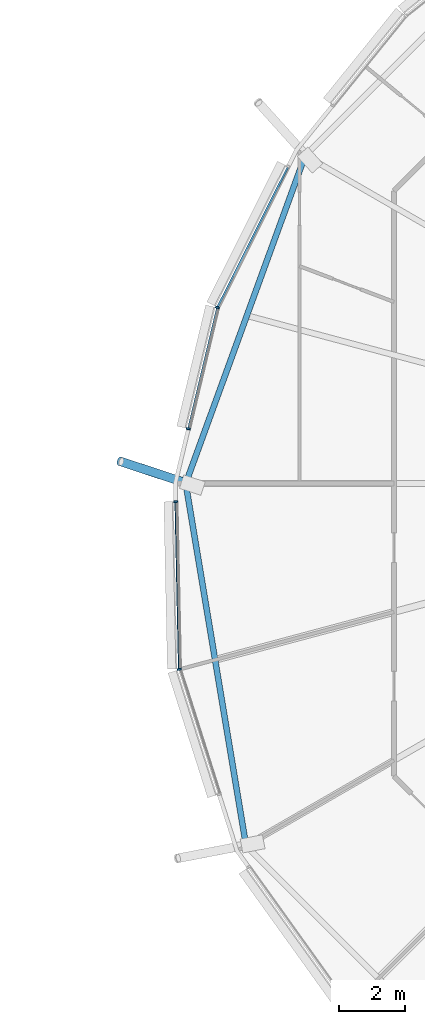
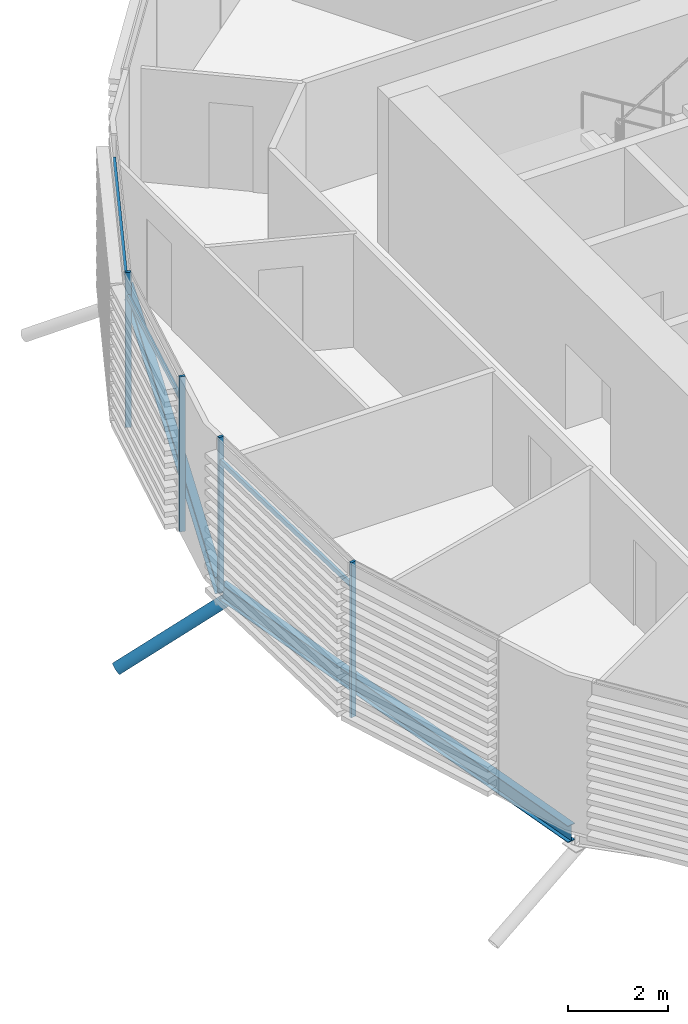
# One storey, part 9 of 37: 8 members, 2 beams, 1 element without a shape of its own.
"""IFC4 building model written with IfcOpenShell, lengths in metres."""

import ifcopenshell
import ifcopenshell.guid

model = None  # the IFC model being written
_history = None  # IfcOwnerHistory: only IFC2X3 demands one
_inside = {}  # id of a spatial element -> (the spatial element, [elements in it])
_under = {}  # id of a project, library or spatial element -> (it, [spatial elements below it])
_declared = {}  # id of a project -> (the project, [libraries it declares])
_typed = {}  # id of a type object -> (the type object, [elements of that type])
_made_of = {}  # id of a material, layer set ... -> (it, [elements and type objects made of it])


def new_model(schema):
    """Start an empty IFC model of exactly this schema.

    Asked for "IFC4X3", IfcOpenShell would pick the latest addendum, in which some entities
    have other attributes; the version numbers below select the first issue.
    IFC2X3 requires an IfcOwnerHistory on every rooted entity: one is made here for all.
    """
    global model, _history
    if schema == "IFC4X3":
        model = ifcopenshell.file(schema_version=(4, 3, 0, 0))
    else:
        model = ifcopenshell.file(schema=schema)
    _inside.clear()
    _under.clear()
    _declared.clear()
    _typed.clear()
    _made_of.clear()
    _history = None
    if model.schema == "IFC2X3":
        org = make("IfcOrganization", Name="unknown")
        user = make(
            "IfcPersonAndOrganization",
            ThePerson=make("IfcPerson", FamilyName="unknown"),
            TheOrganization=org,
        )
        app = make(
            "IfcApplication",
            ApplicationDeveloper=org,
            Version="unknown",
            ApplicationFullName="unknown",
            ApplicationIdentifier="unknown",
        )
        _history = make(
            "IfcOwnerHistory",
            OwningUser=user,
            OwningApplication=app,
            ChangeAction="ADDED",
            CreationDate=0,
        )
    return model


def make(cls, **values):
    """One entity of the class cls with the attributes given. An attribute that is None is left unset."""
    return model.create_entity(
        cls, **{name: value for name, value in values.items() if value is not None}
    )


def rooted(cls, **values):
    """An entity with a GlobalId (a new one), such as an element, a storey or a relation."""
    return make(cls, GlobalId=ifcopenshell.guid.new(), OwnerHistory=_history, **values)


def si_unit(unit_type, name, prefix=None):
    """IfcSIUnit, for example si_unit("LENGTHUNIT", "METRE", prefix="MILLI")."""
    return make("IfcSIUnit", UnitType=unit_type, Prefix=prefix, Name=name)


def assignment(units):
    """IfcUnitAssignment: the units of a project."""
    return None if units is None else make("IfcUnitAssignment", Units=units)


def point(xyz):
    """IfcCartesianPoint."""
    return None if xyz is None else make("IfcCartesianPoint", Coordinates=xyz)


def direction(xyz):
    """IfcDirection."""
    return None if xyz is None else make("IfcDirection", DirectionRatios=xyz)


def frame(location, z_axis=None, x_axis=None):
    """IfcAxis2Placement3D, a coordinate frame: its origin and axes. An axis left out is left unset."""
    return make(
        "IfcAxis2Placement3D",
        Location=point(location),
        Axis=direction(z_axis),
        RefDirection=direction(x_axis),
    )


def frame_2d(location, x_axis=None):
    """IfcAxis2Placement2D, a coordinate frame in the plane: its origin and x axis."""
    return make(
        "IfcAxis2Placement2D", Location=point(location), RefDirection=direction(x_axis)
    )


def origin():
    """The frame at (0, 0, 0) with its axes left unset."""
    return frame((0.0, 0.0, 0.0))


def origin_2d():
    """The frame at (0, 0) in the plane with its x axis left unset."""
    return frame_2d((0.0, 0.0))


def place(relative_to, where):
    """IfcLocalPlacement: puts the frame where relative to a parent placement (None: the world)."""
    return make(
        "IfcLocalPlacement", PlacementRelTo=relative_to, RelativePlacement=where
    )


def context(
    kind, dimensions, precision=None, world=None, true_north=None, identifier=None
):
    """IfcGeometricRepresentationContext, for example the 3D "Model" context."""
    return make(
        "IfcGeometricRepresentationContext",
        ContextIdentifier=identifier,
        ContextType=kind,
        CoordinateSpaceDimension=dimensions,
        Precision=precision,
        WorldCoordinateSystem=world,
        TrueNorth=true_north,
    )


def subcontext(parent, identifier, kind, view, scale=None):
    """IfcGeometricRepresentationSubContext, for example "Body" below "Model"."""
    return make(
        "IfcGeometricRepresentationSubContext",
        ContextIdentifier=identifier,
        ContextType=kind,
        ParentContext=parent,
        TargetScale=scale,
        TargetView=view,
    )


def project(units=None, contexts=None):
    """IfcProject with its units and contexts."""
    return rooted(
        "IfcProject",
        Name="project",
        RepresentationContexts=contexts,
        UnitsInContext=assignment(units),
    )


def spatial(cls, under=None, at=None, **own):
    """A site, building, storey or space (cls), placed at a placement, below another one or the project."""
    s = rooted(cls, ObjectPlacement=at, **own)
    if under is not None:
        _under.setdefault(under.id(), (under, []))[1].append(s)
    return s


def profile(cls, at=None, kind="AREA", **sizes):
    """A parametric profile (cls). Its sizes go by their IFC names, for example OverallWidth=200.0."""
    return make(cls, ProfileType=kind, Position=at, **sizes)


def rectangle(**sizes):
    """IfcRectangleProfileDef."""
    return profile("IfcRectangleProfileDef", **sizes)


def hollow_circle(**sizes):
    """IfcCircleHollowProfileDef."""
    return profile("IfcCircleHollowProfileDef", **sizes)


def i_section(**sizes):
    """IfcIShapeProfileDef."""
    return profile("IfcIShapeProfileDef", **sizes)


def extrude(swept, where, along, depth):
    """IfcExtrudedAreaSolid: the profile swept, set in the frame where, extruded along a direction by depth."""
    return make(
        "IfcExtrudedAreaSolid",
        SweptArea=swept,
        Position=where,
        ExtrudedDirection=direction(along),
        Depth=depth,
    )


def clip(a, b, op="DIFFERENCE"):
    """IfcBooleanClippingResult: the solid a cut by the half space b."""
    return make(
        "IfcBooleanClippingResult", Operator=op, FirstOperand=a, SecondOperand=b
    )


def halfspace(plane, agree):
    """IfcHalfSpaceSolid: all space on one side of the plane z = 0 of the frame plane."""
    return make(
        "IfcHalfSpaceSolid",
        BaseSurface=make("IfcPlane", Position=plane),
        AgreementFlag=agree,
    )


def shape(context_of_items, identifier, shape_type, items):
    """IfcShapeRepresentation: the items that make up one representation, for example the "Body"."""
    return make(
        "IfcShapeRepresentation",
        ContextOfItems=context_of_items,
        RepresentationIdentifier=identifier,
        RepresentationType=shape_type,
        Items=items,
    )


def material(Name=None, Category=None):
    """IfcMaterial."""
    return make("IfcMaterial", Name=Name, Category=Category)


def material_profile(
    of_material, cross_section, Name=None, Category=None, Priority=None
):
    """IfcMaterialProfile: a cross section and its material."""
    return make(
        "IfcMaterialProfile",
        Name=Name,
        Material=of_material,
        Profile=cross_section,
        Priority=Priority,
        Category=Category,
    )


def profile_set(profiles, Name=None, composite=None):
    """IfcMaterialProfileSet."""
    return make(
        "IfcMaterialProfileSet",
        Name=Name,
        MaterialProfiles=profiles,
        CompositeProfile=composite,
    )


def made_of(thing, what):
    """Note that an element or type object is made of a material, layer set ...; save() writes the relation."""
    if what is not None:
        _made_of.setdefault(what.id(), (what, []))[1].append(thing)
    return thing


def type_object(cls, material=None, **own):
    """A type object (cls), such as IfcWallType, which elements share."""
    return made_of(rooted(cls, **own), material)


def element(
    cls,
    number,
    at=None,
    inside=None,
    cuts=None,
    type_object=None,
    material=None,
    context=None,
    identifier="Body",
    shape_type=None,
    held_by="IfcProductDefinitionShape",
    body=None,
    shapes=None,
    **own,
):
    """One element of the class cls, such as IfcWall. Its Tag is "e" and its number.

    at: its placement. inside: the storey or other place that contains it. cuts: it is an
    opening in that element (IfcRelVoidsElement). A single representation is given by context,
    identifier, shape_type and body (its items); several are given by shapes. held_by: the class
    of the entity that holds the representations. save() writes the other relations.
    """
    e = rooted(cls, Tag="e%d" % number, ObjectPlacement=at, **own)
    if body is not None:
        shapes = [shape(context, identifier, shape_type, body)]
    if shapes is not None:
        e.Representation = make(held_by, Representations=shapes)
    if inside is not None:
        _inside.setdefault(inside.id(), (inside, []))[1].append(e)
    if cuts is not None:
        rooted(
            "IfcRelVoidsElement", RelatingBuildingElement=cuts, RelatedOpeningElement=e
        )
    if type_object is not None:
        _typed.setdefault(type_object.id(), (type_object, []))[1].append(e)
    return made_of(e, material)


def aggregate(whole, parts):
    """IfcRelAggregates: a whole, such as a stair, and the parts it consists of."""
    return rooted("IfcRelAggregates", RelatingObject=whole, RelatedObjects=parts)


def save(model, path):
    """Write the relations noted so far, then the file.

    IfcRelAggregates (storeys below a building ...), IfcRelContainedInSpatialStructure (elements
    in a storey), IfcRelDefinesByType, IfcRelAssociatesMaterial and IfcRelDeclares: one each for
    every whole, place, type object, material and project.
    """
    for whole, parts in _under.values():
        aggregate(whole, parts)
    for where, things in _inside.values():
        rooted(
            "IfcRelContainedInSpatialStructure",
            RelatedElements=things,
            RelatingStructure=where,
        )
    for kind, things in _typed.values():
        rooted("IfcRelDefinesByType", RelatedObjects=things, RelatingType=kind)
    for what, things in _made_of.values():
        rooted("IfcRelAssociatesMaterial", RelatedObjects=things, RelatingMaterial=what)
    for by, libraries in _declared.values():
        rooted("IfcRelDeclares", RelatingContext=by, RelatedDefinitions=libraries)
    model.write(path)


model = new_model("IFC4")

# Units and contexts
model_context = context("Model", 3, precision=1e-05, world=origin(), true_north=direction((0.0, 1.0)))
body_context = subcontext(model_context, "Body", "Model", "MODEL_VIEW")
ifc_project = project(units=[si_unit("LENGTHUNIT", "METRE"), si_unit("AREAUNIT", "SQUARE_METRE"), si_unit("VOLUMEUNIT", "CUBIC_METRE"), si_unit("PLANEANGLEUNIT", "RADIAN"), si_unit("MASSUNIT", "GRAM", prefix="KILO")], contexts=[model_context])

# Site, building, storey
site_placement = place(None, origin())
site = spatial("IfcSite", under=ifc_project, at=site_placement, CompositionType="ELEMENT")
building_placement = place(site_placement, origin())
building = spatial("IfcBuilding", under=site, at=building_placement, Name="Rimbun Link Towers", CompositionType="ELEMENT")
storey_placement = place(building_placement, frame((0.0, 0.0, 45.199951171875)))
storey = spatial("IfcBuildingStorey", under=building, at=storey_placement, Name="L10", CompositionType="ELEMENT", Elevation=45.199951171875)

# Curtain wall, members
ifc_material_1 = material(Name="Aluminium 6063-T6 and low-iron glass", Category="aluminium")
curtain_wall_type = type_object("IfcCurtainWallType", Name="CW1 unitised vision wall", PredefinedType="NOTDEFINED", material=ifc_material_1)
curtain_wall_placement = place(storey_placement, origin())
curtain_wall = element("IfcCurtainWall", 1, at=curtain_wall_placement, inside=storey, type_object=curtain_wall_type, Name="CW1 L10 T2", PredefinedType="NOTDEFINED")
ifc_material_2 = material(Name="Aluminium 6063-T6", Category="aluminium")
ifc_material_profile_1 = material_profile(ifc_material_2, rectangle(XDim=0.1201171875, YDim=0.06005859375, at=origin_2d()), Name="MULLION 60X120")
ifc_profile_set_1 = profile_set([ifc_material_profile_1], Name="Aluminium 6063-T6")
member_type_1 = type_object("IfcMemberType", Name="CW1 mullion 60X120", PredefinedType="MULLION", material=ifc_profile_set_1)
member_1_placement = place(storey_placement, frame((11.740478515625, 5.366943359375, 0.0), z_axis=(0.0, 0.0, 1.0), x_axis=(-0.939347883555, 0.342965819961, 0.0)))
member_1 = element("IfcMember", 2, at=member_1_placement, type_object=member_type_1, Name="CW1 mullion", PredefinedType="MULLION", context=body_context, shape_type="SweptSolid", body=[
    extrude(rectangle(XDim=0.1201171875, YDim=0.06005859375, at=origin_2d()), origin(), (0.0, 0.0, 1.0), 3.800048828125),
])
member_2_placement = place(storey_placement, frame((10.855224609375, 1.667236328125, 0.0), z_axis=(0.0, 0.0, 1.0), x_axis=(-0.972570124746, 0.232609871785, 0.0)))
member_2 = element("IfcMember", 3, at=member_2_placement, type_object=member_type_1, Name="CW1 mullion", PredefinedType="MULLION", context=body_context, shape_type="SweptSolid", body=[
    extrude(rectangle(XDim=0.1201171875, YDim=0.06005859375, at=origin_2d()), origin(), (0.0, 0.0, 1.0), 3.800048828125),
])
member_3_placement = place(storey_placement, frame((10.578125, -5.6669921875, 0.0), z_axis=(0.0, 0.0, 1.0), x_axis=(-0.986501879703, -0.163749935396, 0.0)))
member_3 = element("IfcMember", 4, at=member_3_placement, type_object=member_type_1, Name="CW1 mullion", PredefinedType="MULLION", context=body_context, shape_type="SweptSolid", body=[
    extrude(rectangle(XDim=0.1201171875, YDim=0.06005859375, at=origin_2d()), origin(), (0.0, 0.0, 1.0), 3.800048828125),
])
member_4_placement = place(storey_placement, frame((10.4697265625, -0.551025390625, 0.0), z_axis=(0.0, 0.0, 1.0), x_axis=(-0.999778083181, -0.021066190713, 0.0)))
member_4 = element("IfcMember", 5, at=member_4_placement, type_object=member_type_1, Name="CW1 mullion", PredefinedType="MULLION", context=body_context, shape_type="SweptSolid", body=[
    extrude(rectangle(XDim=0.1201171875, YDim=0.06005859375, at=origin_2d()), origin(), (0.0, 0.0, 1.0), 3.800048828125),
])
ifc_material_3 = material(Name="Aluminium 6063-T6", Category="aluminium")
ifc_material_profile_2 = material_profile(ifc_material_3, rectangle(XDim=0.06005859375, YDim=0.1201171875, at=origin_2d()), Name="TRANSOM 60X120")
ifc_profile_set_2 = profile_set([ifc_material_profile_2], Name="Aluminium 6063-T6")
member_type_2 = type_object("IfcMemberType", Name="CW1 transom 60X120", PredefinedType="USERDEFINED", material=ifc_profile_set_2)
member_5_placement = place(storey_placement, frame((11.758544921875, 5.399169921875, 3.199951171875), z_axis=(0.448756285056, 0.893654181785, 0.0), x_axis=(-0.893654181785, 0.448756285056, 0.0)))
member_5 = element("IfcMember", 6, at=member_5_placement, type_object=member_type_2, Name="CW1 transom", ObjectType="TRANSOM", PredefinedType="USERDEFINED", context=body_context, shape_type="SweptSolid", body=[
    extrude(rectangle(XDim=0.06005859375, YDim=0.1201171875, at=origin_2d()), origin(), (0.0, 0.0, 1.0), 4.74560546875),
])
member_6_placement = place(storey_placement, frame((10.864013671875, 1.696044921875, 3.199951171875), z_axis=(0.23262425852, 0.972566683754, 0.0), x_axis=(-0.972566683754, 0.23262425852, 0.0)))
member_6 = element("IfcMember", 7, at=member_6_placement, type_object=member_type_2, Name="CW1 transom", ObjectType="TRANSOM", PredefinedType="USERDEFINED", context=body_context, shape_type="SweptSolid", body=[
    extrude(rectangle(XDim=0.06005859375, YDim=0.1201171875, at=origin_2d()), origin(), (0.0, 0.0, 1.0), 3.7373046875),
])
member_7_placement = place(storey_placement, frame((10.57861328125, -5.62841796875, 3.199951171875), z_axis=(-0.021036264887, 0.999778713296, 0.0), x_axis=(-0.999778713296, -0.021036264887, 0.0)))
member_7 = element("IfcMember", 8, at=member_7_placement, type_object=member_type_2, Name="CW1 transom", ObjectType="TRANSOM", PredefinedType="USERDEFINED", context=body_context, shape_type="SweptSolid", body=[
    extrude(rectangle(XDim=0.06005859375, YDim=0.1201171875, at=origin_2d()), origin(), (0.0, 0.0, 1.0), 5.048583984375),
])
aggregate(curtain_wall, [member_1, member_2, member_3, member_4, member_5, member_6, member_7])

# Member
ifc_material_4 = material(Name="Steel S355J2H", Category="steel")
ifc_material_profile_3 = material_profile(ifc_material_4, hollow_circle(Radius=0.136474609375, WallThickness=0.012451171875, at=origin_2d()), Name="CHS 273x12.5")
ifc_profile_set_3 = profile_set([ifc_material_profile_3], Name="Steel S355J2H")
member_type_3 = type_object("IfcMemberType", Name="Floor edge link CHS 273x12.5", PredefinedType="BRACE", material=ifc_profile_set_3)
member_8_placement = place(storey_placement, frame((10.8251953125, 0.0, -0.729736328125), z_axis=(-0.812222519968, 0.267540971889, -0.518378632293), x_axis=(-0.312858086926, -0.949799882841, 0.0)))
element("IfcMember", 9, at=member_8_placement, inside=storey, type_object=member_type_3, Name="Floor edge link T2 L10 09", PredefinedType="BRACE", context=body_context, shape_type="Clipping", body=[
    clip(extrude(hollow_circle(Radius=0.136474609375, WallThickness=0.012451171875, at=origin_2d()), frame((0.0, 0.0, -0.469482421875)), (0.0, 0.0, 1.0), 3.012939453125), halfspace(frame((0.0, 0.0, -0.220703125), z_axis=(0.0, 0.855151210946, -0.518378632293)), False)),
])

# Beams
ifc_material_5 = material(Name="Steel S355J2", Category="steel")
ifc_material_profile_4 = material_profile(ifc_material_5, i_section(OverallWidth=0.177978515625, OverallDepth=0.406494140625, WebThickness=0.0078125, FlangeThickness=0.0126953125, at=origin_2d()), Name="UB 406x178x60")
ifc_profile_set_4 = profile_set([ifc_material_profile_4], Name="Steel S355J2")
beam_type = type_object("IfcBeamType", Name="UB 406x178x60", PredefinedType="BEAM", material=ifc_profile_set_4)
beam_1_placement = place(storey_placement, frame((14.38916015625, 9.923095703125, -0.363037109375), z_axis=(-0.342215341915, -0.939621551348, 0.0), x_axis=(0.939621551348, -0.342215341915, 0.0)))
element("IfcBeam", 10, at=beam_1_placement, inside=storey, type_object=beam_type, Name="Edge beam T2 L10 07-09", PredefinedType="BEAM", context=body_context, shape_type="SweptSolid", body=[
    extrude(i_section(OverallWidth=0.177978515625, OverallDepth=0.406494140625, WebThickness=0.0078125, FlangeThickness=0.0126953125, at=origin_2d()), origin(), (0.0, 0.0, 1.0), 10.458740234375),
])
beam_2_placement = place(storey_placement, frame((10.791015625, -0.095947265625, -0.363037109375), z_axis=(0.164211836729, -0.986425097348, 0.0), x_axis=(0.986425097348, 0.164211836729, 0.0)))
element("IfcBeam", 11, at=beam_2_placement, inside=storey, type_object=beam_type, Name="Edge beam T2 L10 09-11", PredefinedType="BEAM", context=body_context, shape_type="SweptSolid", body=[
    extrude(i_section(OverallWidth=0.177978515625, OverallDepth=0.406494140625, WebThickness=0.0078125, FlangeThickness=0.0126953125, at=origin_2d()), origin(), (0.0, 0.0, 1.0), 11.00048828125),
])

save(model, "model.ifc")
